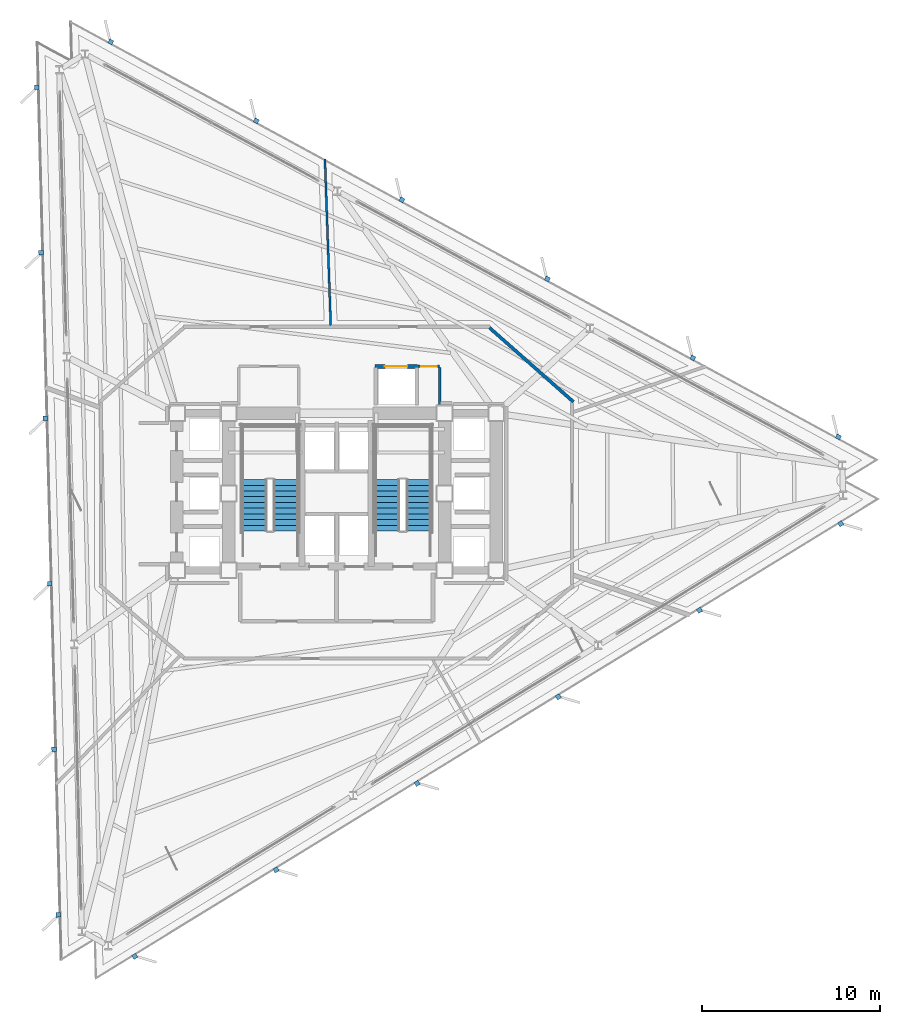
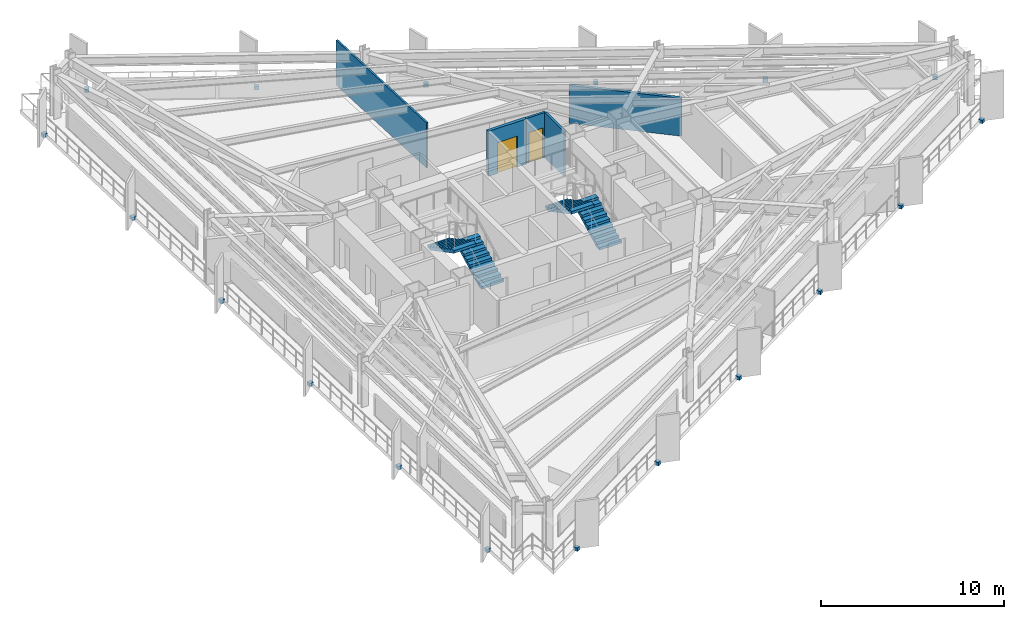
# One storey, part 9 of 14: 18 discrete accessories, 5 walls, 4 stair flights, 2 doors, 2 openings, 2 elements without a shape of their own.
"""IFC4 building model written with IfcOpenShell, lengths in metres."""

import ifcopenshell
import ifcopenshell.guid

model = None  # the IFC model being written
_history = None  # IfcOwnerHistory: only IFC2X3 demands one
_inside = {}  # id of a spatial element -> (the spatial element, [elements in it])
_under = {}  # id of a project, library or spatial element -> (it, [spatial elements below it])
_declared = {}  # id of a project -> (the project, [libraries it declares])
_typed = {}  # id of a type object -> (the type object, [elements of that type])
_made_of = {}  # id of a material, layer set ... -> (it, [elements and type objects made of it])


def new_model(schema):
    """Start an empty IFC model of exactly this schema.

    Asked for "IFC4X3", IfcOpenShell would pick the latest addendum, in which some entities
    have other attributes; the version numbers below select the first issue.
    IFC2X3 requires an IfcOwnerHistory on every rooted entity: one is made here for all.
    """
    global model, _history
    if schema == "IFC4X3":
        model = ifcopenshell.file(schema_version=(4, 3, 0, 0))
    else:
        model = ifcopenshell.file(schema=schema)
    _inside.clear()
    _under.clear()
    _declared.clear()
    _typed.clear()
    _made_of.clear()
    _history = None
    if model.schema == "IFC2X3":
        org = make("IfcOrganization", Name="unknown")
        user = make(
            "IfcPersonAndOrganization",
            ThePerson=make("IfcPerson", FamilyName="unknown"),
            TheOrganization=org,
        )
        app = make(
            "IfcApplication",
            ApplicationDeveloper=org,
            Version="unknown",
            ApplicationFullName="unknown",
            ApplicationIdentifier="unknown",
        )
        _history = make(
            "IfcOwnerHistory",
            OwningUser=user,
            OwningApplication=app,
            ChangeAction="ADDED",
            CreationDate=0,
        )
    return model


def make(cls, **values):
    """One entity of the class cls with the attributes given. An attribute that is None is left unset."""
    return model.create_entity(
        cls, **{name: value for name, value in values.items() if value is not None}
    )


def rooted(cls, **values):
    """An entity with a GlobalId (a new one), such as an element, a storey or a relation."""
    return make(cls, GlobalId=ifcopenshell.guid.new(), OwnerHistory=_history, **values)


def si_unit(unit_type, name, prefix=None):
    """IfcSIUnit, for example si_unit("LENGTHUNIT", "METRE", prefix="MILLI")."""
    return make("IfcSIUnit", UnitType=unit_type, Prefix=prefix, Name=name)


def assignment(units):
    """IfcUnitAssignment: the units of a project."""
    return None if units is None else make("IfcUnitAssignment", Units=units)


def point(xyz):
    """IfcCartesianPoint."""
    return None if xyz is None else make("IfcCartesianPoint", Coordinates=xyz)


def direction(xyz):
    """IfcDirection."""
    return None if xyz is None else make("IfcDirection", DirectionRatios=xyz)


def frame(location, z_axis=None, x_axis=None):
    """IfcAxis2Placement3D, a coordinate frame: its origin and axes. An axis left out is left unset."""
    return make(
        "IfcAxis2Placement3D",
        Location=point(location),
        Axis=direction(z_axis),
        RefDirection=direction(x_axis),
    )


def frame_2d(location, x_axis=None):
    """IfcAxis2Placement2D, a coordinate frame in the plane: its origin and x axis."""
    return make(
        "IfcAxis2Placement2D", Location=point(location), RefDirection=direction(x_axis)
    )


def origin():
    """The frame at (0, 0, 0) with its axes left unset."""
    return frame((0.0, 0.0, 0.0))


def origin_2d():
    """The frame at (0, 0) in the plane with its x axis left unset."""
    return frame_2d((0.0, 0.0))


def place(relative_to, where):
    """IfcLocalPlacement: puts the frame where relative to a parent placement (None: the world)."""
    return make(
        "IfcLocalPlacement", PlacementRelTo=relative_to, RelativePlacement=where
    )


def context(
    kind, dimensions, precision=None, world=None, true_north=None, identifier=None
):
    """IfcGeometricRepresentationContext, for example the 3D "Model" context."""
    return make(
        "IfcGeometricRepresentationContext",
        ContextIdentifier=identifier,
        ContextType=kind,
        CoordinateSpaceDimension=dimensions,
        Precision=precision,
        WorldCoordinateSystem=world,
        TrueNorth=true_north,
    )


def subcontext(parent, identifier, kind, view, scale=None):
    """IfcGeometricRepresentationSubContext, for example "Body" below "Model"."""
    return make(
        "IfcGeometricRepresentationSubContext",
        ContextIdentifier=identifier,
        ContextType=kind,
        ParentContext=parent,
        TargetScale=scale,
        TargetView=view,
    )


def project(units=None, contexts=None):
    """IfcProject with its units and contexts."""
    return rooted(
        "IfcProject",
        Name="project",
        RepresentationContexts=contexts,
        UnitsInContext=assignment(units),
    )


def spatial(cls, under=None, at=None, **own):
    """A site, building, storey or space (cls), placed at a placement, below another one or the project."""
    s = rooted(cls, ObjectPlacement=at, **own)
    if under is not None:
        _under.setdefault(under.id(), (under, []))[1].append(s)
    return s


def polyline(points):
    """IfcPolyline through the points."""
    return make("IfcPolyline", Points=[point(p) for p in points])


def profile(cls, at=None, kind="AREA", **sizes):
    """A parametric profile (cls). Its sizes go by their IFC names, for example OverallWidth=200.0."""
    return make(cls, ProfileType=kind, Position=at, **sizes)


def rectangle(**sizes):
    """IfcRectangleProfileDef."""
    return profile("IfcRectangleProfileDef", **sizes)


def outline(outer, holes=None, kind="AREA"):
    """IfcArbitraryClosedProfileDef: a profile drawn as a closed curve; with holes, ...WithVoids."""
    if holes is None:
        return make("IfcArbitraryClosedProfileDef", ProfileType=kind, OuterCurve=outer)
    return make(
        "IfcArbitraryProfileDefWithVoids",
        ProfileType=kind,
        OuterCurve=outer,
        InnerCurves=holes,
    )


def extrude(swept, where, along, depth):
    """IfcExtrudedAreaSolid: the profile swept, set in the frame where, extruded along a direction by depth."""
    return make(
        "IfcExtrudedAreaSolid",
        SweptArea=swept,
        Position=where,
        ExtrudedDirection=direction(along),
        Depth=depth,
    )


def shape(context_of_items, identifier, shape_type, items):
    """IfcShapeRepresentation: the items that make up one representation, for example the "Body"."""
    return make(
        "IfcShapeRepresentation",
        ContextOfItems=context_of_items,
        RepresentationIdentifier=identifier,
        RepresentationType=shape_type,
        Items=items,
    )


def material(Name=None, Category=None):
    """IfcMaterial."""
    return make("IfcMaterial", Name=Name, Category=Category)


def layer(
    of_material, thickness, ventilated=None, Name=None, Category=None, Priority=None
):
    """IfcMaterialLayer: one layer of a wall or slab, of a material (None: an air gap)."""
    return make(
        "IfcMaterialLayer",
        Material=of_material,
        LayerThickness=thickness,
        IsVentilated=ventilated,
        Name=Name,
        Category=Category,
        Priority=Priority,
    )


def layer_set(layers, Name=None):
    """IfcMaterialLayerSet."""
    return make("IfcMaterialLayerSet", MaterialLayers=layers, LayerSetName=Name)


def made_of(thing, what):
    """Note that an element or type object is made of a material, layer set ...; save() writes the relation."""
    if what is not None:
        _made_of.setdefault(what.id(), (what, []))[1].append(thing)
    return thing


def type_object(cls, material=None, **own):
    """A type object (cls), such as IfcWallType, which elements share."""
    return made_of(rooted(cls, **own), material)


def element(
    cls,
    number,
    at=None,
    inside=None,
    cuts=None,
    type_object=None,
    material=None,
    context=None,
    identifier="Body",
    shape_type=None,
    held_by="IfcProductDefinitionShape",
    body=None,
    shapes=None,
    **own,
):
    """One element of the class cls, such as IfcWall. Its Tag is "e" and its number.

    at: its placement. inside: the storey or other place that contains it. cuts: it is an
    opening in that element (IfcRelVoidsElement). A single representation is given by context,
    identifier, shape_type and body (its items); several are given by shapes. held_by: the class
    of the entity that holds the representations. save() writes the other relations.
    """
    e = rooted(cls, Tag="e%d" % number, ObjectPlacement=at, **own)
    if body is not None:
        shapes = [shape(context, identifier, shape_type, body)]
    if shapes is not None:
        e.Representation = make(held_by, Representations=shapes)
    if inside is not None:
        _inside.setdefault(inside.id(), (inside, []))[1].append(e)
    if cuts is not None:
        rooted(
            "IfcRelVoidsElement", RelatingBuildingElement=cuts, RelatedOpeningElement=e
        )
    if type_object is not None:
        _typed.setdefault(type_object.id(), (type_object, []))[1].append(e)
    return made_of(e, material)


def fill(opening, filler):
    """IfcRelFillsElement: the door or window that sits in an opening."""
    return rooted(
        "IfcRelFillsElement",
        RelatingOpeningElement=opening,
        RelatedBuildingElement=filler,
    )


def aggregate(whole, parts):
    """IfcRelAggregates: a whole, such as a stair, and the parts it consists of."""
    return rooted("IfcRelAggregates", RelatingObject=whole, RelatedObjects=parts)


def save(model, path):
    """Write the relations noted so far, then the file.

    IfcRelAggregates (storeys below a building ...), IfcRelContainedInSpatialStructure (elements
    in a storey), IfcRelDefinesByType, IfcRelAssociatesMaterial and IfcRelDeclares: one each for
    every whole, place, type object, material and project.
    """
    for whole, parts in _under.values():
        aggregate(whole, parts)
    for where, things in _inside.values():
        rooted(
            "IfcRelContainedInSpatialStructure",
            RelatedElements=things,
            RelatingStructure=where,
        )
    for kind, things in _typed.values():
        rooted("IfcRelDefinesByType", RelatedObjects=things, RelatingType=kind)
    for what, things in _made_of.values():
        rooted("IfcRelAssociatesMaterial", RelatedObjects=things, RelatingMaterial=what)
    for by, libraries in _declared.values():
        rooted("IfcRelDeclares", RelatingContext=by, RelatedDefinitions=libraries)
    model.write(path)


model = new_model("IFC4")

# Units and contexts
model_context = context("Model", 3, precision=1e-05, world=origin(), true_north=direction((0.0, 1.0)))
body_context = subcontext(model_context, "Body", "Model", "MODEL_VIEW")
ifc_project = project(units=[si_unit("LENGTHUNIT", "METRE"), si_unit("AREAUNIT", "SQUARE_METRE"), si_unit("VOLUMEUNIT", "CUBIC_METRE"), si_unit("PLANEANGLEUNIT", "RADIAN"), si_unit("MASSUNIT", "GRAM", prefix="KILO")], contexts=[model_context])

# Site, building, storey
site_placement = place(None, origin())
site = spatial("IfcSite", under=ifc_project, at=site_placement, CompositionType="ELEMENT")
building_placement = place(site_placement, origin())
building = spatial("IfcBuilding", under=site, at=building_placement, Name="Rocaltana Carrier Exchange", CompositionType="ELEMENT")
storey_placement = place(building_placement, frame((0.0, 0.0, 42.39990234375)))
storey = spatial("IfcBuildingStorey", under=building, at=storey_placement, Name="L13", CompositionType="ELEMENT", Elevation=42.39990234375)

# Walls
ifc_material_1 = material(Name="Gypsum & Steel Stud Partition", Category="steel")
ifc_layer_1 = layer(ifc_material_1, 0.179931640625)
ifc_layer_set_1 = layer_set([ifc_layer_1], Name="Gypsum & Steel Stud Partition")
wall_type_1 = type_object("IfcWallType", Name="Corridor Fire Partition 180 EI60", PredefinedType="PARTITIONING", material=ifc_layer_set_1)
wall_1_placement = place(storey_placement, frame((8.5673828125, 9.290283203125, 0.0), z_axis=(0.0, 0.0, 1.0), x_axis=(0.749626463267, -0.66186113768, 0.0)))
element("IfcWall", 1, at=wall_1_placement, inside=storey, type_object=wall_type_1, Name="L13 Corridor Partition 2", PredefinedType="PARTITIONING", context=body_context, shape_type="SweptSolid", body=[
    extrude(rectangle(XDim=6.27001953125, YDim=0.179931640625, at=frame_2d((3.135009765625, 0.0))), origin(), (0.0, 0.0, 1.0), 2.527099609375),
])
ifc_material_2 = material(Name="Aluminium 6063-T6 & Acoustic Glass", Category="aluminium")
ifc_layer_2 = layer(ifc_material_2, 0.114990234375)
ifc_layer_set_2 = layer_set([ifc_layer_2], Name="Aluminium 6063-T6 & Acoustic Glass")
wall_type_2 = type_object("IfcWallType", Name="Demountable Glazed Lab Partition 115", PredefinedType="MOVABLE", material=ifc_layer_set_2)
wall_2_placement = place(storey_placement, frame((-0.329345703125, 9.429931640625, 0.0), z_axis=(0.0, 0.0, 1.0), x_axis=(-0.034885649993, 0.999391310461, 0.0)))
element("IfcWall", 2, at=wall_2_placement, inside=storey, type_object=wall_type_2, Name="L13 Suite Divider Wall D5", PredefinedType="MOVABLE", context=body_context, shape_type="SweptSolid", body=[
    extrude(rectangle(XDim=9.314697265625, YDim=0.114990234375, at=frame_2d((4.6572265625, 0.0))), origin(), (0.0, 0.0, 1.0), 3.01318359375),
])

# Wall, opening, door
ifc_material_3 = material(Name="Reinforced Concrete Block C35/45", Category="concrete")
ifc_layer_3 = layer(ifc_material_3, 0.199951171875)
ifc_layer_set_3 = layer_set([ifc_layer_3], Name="Reinforced Concrete Block C35/45")
wall_type_3 = type_object("IfcWallType", Name="Lift Hoistway Enclosure Wall 200 EI120", PredefinedType="PARTITIONING", material=ifc_layer_set_3)
wall_3_placement = place(storey_placement, frame((2.14990234375, 7.1201171875, 0.0), z_axis=(0.0, 0.0, 1.0), x_axis=(1.0, 0.0, 0.0)))
wall_3 = element("IfcWall", 3, at=wall_3_placement, inside=storey, type_object=wall_type_3, Name="L13 Goods Lift Front Wall", PredefinedType="PARTITIONING", context=body_context, shape_type="SweptSolid", body=[
    extrude(rectangle(XDim=2.380126953125, YDim=0.199951171875, at=frame_2d((1.18994140625, 0.0))), origin(), (0.0, 0.0, 1.0), 3.01318359375),
])
opening_1_placement = place(wall_3_placement, frame((0.56005859375, 0.0, 0.0)))
opening_1 = element("IfcOpeningElement", 4, at=opening_1_placement, cuts=wall_3, Name="Opening LD-130", PredefinedType="OPENING", context=body_context, shape_type="SweptSolid", body=[
    extrude(rectangle(XDim=1.260009765625, YDim=2.06005859375, at=frame_2d((0.6298828125, 1.030029296875))), frame((0.0, 0.10986328125, 0.0), z_axis=(0.0, -1.0, 0.0), x_axis=(1.0, 0.0, 0.0)), (0.0, 0.0, 1.0), 0.219970703125),
])
ifc_material_4 = material(Name="Brushed Stainless Sliding Door Leaf", Category="steel")
door_type_1 = type_object("IfcDoorType", Name="Goods Lift Landing Sliding Door 1260x2060", OperationType="NOTDEFINED", PredefinedType="DOOR", material=ifc_material_4)
door_1_placement = place(opening_1_placement, origin())
door_1 = element("IfcDoor", 5, at=door_1_placement, inside=storey, type_object=door_type_1, Name="L13 Goods Lift GL-1 Landing Door", OperationType="SLIDING_TO_LEFT", OverallHeight=2.06005859375, OverallWidth=1.260009765625, PredefinedType="DOOR", context=body_context, shape_type="SweptSolid", body=[
    extrude(rectangle(XDim=1.260009765625, YDim=2.06005859375, at=frame_2d((0.6298828125, 1.030029296875))), frame((0.0, 0.02490234375, 0.0), z_axis=(0.0, -1.0, 0.0), x_axis=(1.0, 0.0, 0.0)), (0.0, 0.0, 1.0), 0.050048828125),
])
fill(opening_1, door_1)

# Wall
ifc_material_5 = material(Name="Moisture-Resistant Masonry C30/37", Category="masonry")
ifc_layer_4 = layer(ifc_material_5, 0.139892578125)
ifc_layer_set_4 = layer_set([ifc_layer_4], Name="Moisture-Resistant Masonry C30/37")
wall_type_4 = type_object("IfcWallType", Name="Wet-Area Sanitary Partition 140", PredefinedType="PARTITIONING", material=ifc_layer_set_4)
wall_4_placement = place(storey_placement, frame((5.780029296875, 4.949951171875, 0.0), z_axis=(0.0, 0.0, 1.0), x_axis=(0.0, 1.0, 0.0)))
element("IfcWall", 6, at=wall_4_placement, inside=storey, type_object=wall_type_4, Name="L13 Restroom East Wall", PredefinedType="PARTITIONING", context=body_context, shape_type="SweptSolid", body=[
    extrude(rectangle(XDim=2.10009765625, YDim=0.139892578125, at=frame_2d((1.050048828125, 0.0))), origin(), (0.0, 0.0, 1.0), 3.01318359375),
])

# Wall, opening, door
wall_5_placement = place(storey_placement, frame((4.56005859375, 7.1201171875, 0.0), z_axis=(0.0, 0.0, 1.0), x_axis=(1.0, 0.0, 0.0)))
wall_5 = element("IfcWall", 7, at=wall_5_placement, inside=storey, type_object=wall_type_4, Name="L13 Restroom North Wall", PredefinedType="PARTITIONING", context=body_context, shape_type="SweptSolid", body=[
    extrude(rectangle(XDim=1.219970703125, YDim=0.139892578125, at=frame_2d((0.60986328125, 0.0))), origin(), (0.0, 0.0, 1.0), 3.01318359375),
])
opening_2_placement = place(wall_5_placement, frame((0.169921875, 0.0, 0.0)))
opening_2 = element("IfcOpeningElement", 8, at=opening_2_placement, cuts=wall_5, Name="Opening D-WC090", PredefinedType="OPENING", context=body_context, shape_type="SweptSolid", body=[
    extrude(rectangle(XDim=0.8798828125, YDim=2.02001953125, at=frame_2d((0.43994140625, 1.010009765625))), frame((0.0, 0.079833984375, 0.0), z_axis=(0.0, -1.0, 0.0), x_axis=(1.0, 0.0, 0.0)), (0.0, 0.0, 1.0), 0.159912109375),
])
ifc_material_6 = material(Name="High-Pressure Laminate Timber", Category="wood")
door_type_2 = type_object("IfcDoorType", Name="Restroom & Accessible WC Door 880x2020", OperationType="NOTDEFINED", PredefinedType="DOOR", material=ifc_material_6)
door_2_placement = place(opening_2_placement, origin())
door_2 = element("IfcDoor", 9, at=door_2_placement, inside=storey, type_object=door_type_2, Name="L13 Staff Restroom Door", OperationType="SINGLE_SWING_LEFT", OverallHeight=2.02001953125, OverallWidth=0.8798828125, PredefinedType="DOOR", context=body_context, shape_type="SweptSolid", body=[
    extrude(rectangle(XDim=0.8798828125, YDim=2.02001953125, at=frame_2d((0.43994140625, 1.010009765625))), frame((0.0, 0.02490234375, 0.0), z_axis=(0.0, -1.0, 0.0), x_axis=(1.0, 0.0, 0.0)), (0.0, 0.0, 1.0), 0.050048828125),
])
fill(opening_2, door_2)

# Stair, stair flights
ifc_material_7 = material(Name="Precast concrete C45/55", Category="concrete")
stair_type = type_object("IfcStairType", Name="Standard Dog-Leg Stair 160", PredefinedType="HALF_TURN_STAIR", material=ifc_material_7)
stair_1_placement = place(storey_placement, origin())
stair_1 = element("IfcStair", 10, at=stair_1_placement, inside=storey, type_object=stair_type, Name="L13 Core West Exit Stair ST-1", PredefinedType="HALF_TURN_STAIR")
ifc_material_8 = material(Name="Precast concrete C45/55", Category="concrete")
stair_flight_type = type_object("IfcStairFlightType", Name="Precast Stair Flight 160", PredefinedType="STRAIGHT", material=ifc_material_8)
stair_flight_1_placement = place(storey_placement, frame((-2.840087890625, -2.10009765625, 0.0), z_axis=(0.0, 0.0, 1.0), x_axis=(0.0, 1.0, 0.0)))
stair_flight_1 = element("IfcStairFlight", 11, at=stair_flight_1_placement, type_object=stair_flight_type, Name="ST-1 flight 1", NumberOfRisers=10, NumberOfTreads=9, PredefinedType="STRAIGHT", RiserHeight=0.168, TreadLength=0.32, context=body_context, shape_type="SweptSolid", body=[
    extrude(outline(polyline([(0.0, 0.0), (0.0, 0.16796875), (0.320068359375, 0.16796875), (0.320068359375, 0.3359375), (0.639892578125, 0.3359375), (0.639892578125, 0.50390625), (0.9599609375, 0.50390625), (0.9599609375, 0.672119140625), (1.280029296875, 0.672119140625), (1.280029296875, 0.840087890625), (1.60009765625, 0.840087890625), (1.60009765625, 1.008056640625), (1.919921875, 1.008056640625), (1.919921875, 1.176025390625), (2.239990234375, 1.176025390625), (2.239990234375, 1.343994140625), (2.56005859375, 1.343994140625), (2.56005859375, 1.511962890625), (2.8798828125, 1.511962890625), (2.8798828125, 1.679931640625), (2.8798828125, 1.331298828125), (0.343994140625, 0.0), (0.0, 0.0)])), frame((0.0, 0.699951171875, 0.0), z_axis=(0.0, -1.0, 0.0), x_axis=(1.0, 0.0, 0.0)), (0.0, 0.0, 1.0), 1.39990234375),
])
stair_flight_2_placement = place(storey_placement, frame((-4.60009765625, 0.780029296875, 1.68017578125), z_axis=(0.0, 0.0, 1.0), x_axis=(0.0, -1.0, 0.0)))
stair_flight_2 = element("IfcStairFlight", 12, at=stair_flight_2_placement, type_object=stair_flight_type, Name="ST-1 flight 2", NumberOfRisers=10, NumberOfTreads=9, PredefinedType="STRAIGHT", RiserHeight=0.168, TreadLength=0.32, context=body_context, shape_type="SweptSolid", body=[
    extrude(outline(polyline([(0.0, 0.0), (0.0, 0.16796875), (0.320068359375, 0.16796875), (0.320068359375, 0.3359375), (0.639892578125, 0.3359375), (0.639892578125, 0.50390625), (0.9599609375, 0.50390625), (0.9599609375, 0.672119140625), (1.280029296875, 0.672119140625), (1.280029296875, 0.840087890625), (1.60009765625, 0.840087890625), (1.60009765625, 1.008056640625), (1.919921875, 1.008056640625), (1.919921875, 1.176025390625), (2.239990234375, 1.176025390625), (2.239990234375, 1.343994140625), (2.56005859375, 1.343994140625), (2.56005859375, 1.511962890625), (2.8798828125, 1.511962890625), (2.8798828125, 1.679931640625), (2.8798828125, 1.331298828125), (0.343994140625, 0.0), (0.0, 0.0)])), frame((0.0, 0.699951171875, 0.0), z_axis=(0.0, -1.0, 0.0), x_axis=(1.0, 0.0, 0.0)), (0.0, 0.0, 1.0), 1.39990234375),
])
aggregate(stair_1, [stair_flight_1, stair_flight_2])

stair_2_placement = place(storey_placement, origin())
stair_2 = element("IfcStair", 13, at=stair_2_placement, inside=storey, type_object=stair_type, Name="L13 Core East Exit Stair ST-2", PredefinedType="HALF_TURN_STAIR")
stair_flight_3_placement = place(storey_placement, frame((4.60009765625, -2.10009765625, 0.0), z_axis=(0.0, 0.0, 1.0), x_axis=(0.0, 1.0, 0.0)))
stair_flight_3 = element("IfcStairFlight", 14, at=stair_flight_3_placement, type_object=stair_flight_type, Name="ST-2 flight 1", NumberOfRisers=10, NumberOfTreads=9, PredefinedType="STRAIGHT", RiserHeight=0.168, TreadLength=0.32, context=body_context, shape_type="SweptSolid", body=[
    extrude(outline(polyline([(0.0, 0.0), (0.0, 0.16796875), (0.320068359375, 0.16796875), (0.320068359375, 0.3359375), (0.639892578125, 0.3359375), (0.639892578125, 0.50390625), (0.9599609375, 0.50390625), (0.9599609375, 0.672119140625), (1.280029296875, 0.672119140625), (1.280029296875, 0.840087890625), (1.60009765625, 0.840087890625), (1.60009765625, 1.008056640625), (1.919921875, 1.008056640625), (1.919921875, 1.176025390625), (2.239990234375, 1.176025390625), (2.239990234375, 1.343994140625), (2.56005859375, 1.343994140625), (2.56005859375, 1.511962890625), (2.8798828125, 1.511962890625), (2.8798828125, 1.679931640625), (2.8798828125, 1.331298828125), (0.343994140625, 0.0), (0.0, 0.0)])), frame((0.0, 0.699951171875, 0.0), z_axis=(0.0, -1.0, 0.0), x_axis=(1.0, 0.0, 0.0)), (0.0, 0.0, 1.0), 1.39990234375),
])
stair_flight_4_placement = place(storey_placement, frame((2.840087890625, 0.780029296875, 1.68017578125), z_axis=(0.0, 0.0, 1.0), x_axis=(0.0, -1.0, 0.0)))
stair_flight_4 = element("IfcStairFlight", 15, at=stair_flight_4_placement, type_object=stair_flight_type, Name="ST-2 flight 2", NumberOfRisers=10, NumberOfTreads=9, PredefinedType="STRAIGHT", RiserHeight=0.168, TreadLength=0.32, context=body_context, shape_type="SweptSolid", body=[
    extrude(outline(polyline([(0.0, 0.0), (0.0, 0.16796875), (0.320068359375, 0.16796875), (0.320068359375, 0.3359375), (0.639892578125, 0.3359375), (0.639892578125, 0.50390625), (0.9599609375, 0.50390625), (0.9599609375, 0.672119140625), (1.280029296875, 0.672119140625), (1.280029296875, 0.840087890625), (1.60009765625, 0.840087890625), (1.60009765625, 1.008056640625), (1.919921875, 1.008056640625), (1.919921875, 1.176025390625), (2.239990234375, 1.176025390625), (2.239990234375, 1.343994140625), (2.56005859375, 1.343994140625), (2.56005859375, 1.511962890625), (2.8798828125, 1.511962890625), (2.8798828125, 1.679931640625), (2.8798828125, 1.331298828125), (0.343994140625, 0.0), (0.0, 0.0)])), frame((0.0, 0.699951171875, 0.0), z_axis=(0.0, -1.0, 0.0), x_axis=(1.0, 0.0, 0.0)), (0.0, 0.0, 1.0), 1.39990234375),
])
aggregate(stair_2, [stair_flight_3, stair_flight_4])

# Discrete accessories
ifc_material_9 = material(Name="Brushed Architectural Stainless Metal", Category="steel")
ifc_layer_5 = layer(ifc_material_9, 0.219970703125)
ifc_layer_set_5 = layer_set([ifc_layer_5], Name="Brushed Architectural Stainless Metal")
discrete_accessory_type = type_object("IfcDiscreteAccessoryType", Name="Stainless Fin Slab-Edge Bracket 260x260x220", PredefinedType="BRACKET", material=ifc_layer_set_5)
for number, where, z_axis, x_axis, name in (
    (16, (28.121337890625, 3.171875, -0.2099609375), (0.0, 0.0, 1.0), (-0.878817112662, 0.47715876026, 0.0), "L13 Sandstone Fin Edge Bracket F1-01"),
    (17, (19.9658203125, 7.599853515625, -0.2099609375), (0.0, 0.0, 1.0), (-0.878817112662, 0.47715876026, 0.0), "L13 Sandstone Fin Edge Bracket F1-02"),
    (18, (11.810546875, 12.02783203125, -0.2099609375), (0.0, 0.0, 1.0), (-0.878817112662, 0.47715876026, 0.0), "L13 Sandstone Fin Edge Bracket F1-03"),
    (19, (3.655029296875, 16.4560546875, -0.2099609375), (0.0, 0.0, 1.0), (-0.878817112662, 0.47715876026, 0.0), "L13 Sandstone Fin Edge Bracket F1-04"),
    (20, (-4.50048828125, 20.884033203125, -0.2099609375), (0.0, 0.0, 1.0), (-0.878817112662, 0.47715876026, 0.0), "L13 Sandstone Fin Edge Bracket F1-05"),
    (21, (-12.65576171875, 25.31201171875, -0.2099609375), (0.0, 0.0, 1.0), (-0.878817112662, 0.47715876026, 0.0), "L13 Sandstone Fin Edge Bracket F1-06"),
    (22, (-16.8076171875, 22.767822265625, -0.2099609375), (0.0, 0.0, 1.0), (0.026176948308, -0.999657324976, 0.0), "L13 Sandstone Fin Edge Bracket F2-01"),
    (23, (-16.564697265625, 13.490966796875, -0.2099609375), (0.0, 0.0, 1.0), (0.026176948308, -0.999657324976, 0.0), "L13 Sandstone Fin Edge Bracket F2-02"),
    (24, (-16.32177734375, 4.214111328125, -0.2099609375), (0.0, 0.0, 1.0), (0.026176948308, -0.999657324976, 0.0), "L13 Sandstone Fin Edge Bracket F2-03"),
    (25, (-16.078857421875, -5.0625, -0.2099609375), (0.0, 0.0, 1.0), (0.026176948308, -0.999657324976, 0.0), "L13 Sandstone Fin Edge Bracket F2-04"),
    (26, (-15.8359375, -14.33935546875, -0.2099609375), (0.0, 0.0, 1.0), (0.026176948308, -0.999657324976, 0.0), "L13 Sandstone Fin Edge Bracket F2-05"),
    (27, (-15.593017578125, -23.6162109375, -0.2099609375), (0.0, 0.0, 1.0), (0.026176948308, -0.999657324976, 0.0), "L13 Sandstone Fin Edge Bracket F2-06"),
    (28, (-11.313720703125, -25.939697265625, -0.2099609375), (0.0, 0.0, 1.0), (0.852640164354, 0.522498564716, 0.0), "L13 Sandstone Fin Edge Bracket F3-01"),
    (29, (-3.401123046875, -21.0908203125, -0.2099609375), (0.0, 0.0, 1.0), (0.852640164354, 0.522498564716, 0.0), "L13 Sandstone Fin Edge Bracket F3-02"),
    (30, (4.51123046875, -16.2421875, -0.2099609375), (0.0, 0.0, 1.0), (0.852640164354, 0.522498564716, 0.0), "L13 Sandstone Fin Edge Bracket F3-03"),
    (31, (12.423828125, -11.393310546875, -0.2099609375), (0.0, 0.0, 1.0), (0.852640164354, 0.522498564716, 0.0), "L13 Sandstone Fin Edge Bracket F3-04"),
    (32, (20.336181640625, -6.54443359375, -0.2099609375), (0.0, 0.0, 1.0), (0.852640164354, 0.522498564716, 0.0), "L13 Sandstone Fin Edge Bracket F3-05"),
    (33, (28.248779296875, -1.69580078125, -0.2099609375), (0.0, 0.0, 1.0), (0.852640164354, 0.522498564716, 0.0), "L13 Sandstone Fin Edge Bracket F3-06"),
):
    element("IfcDiscreteAccessory", number, at=place(storey_placement, frame(where, z_axis=z_axis, x_axis=x_axis)), inside=storey, type_object=discrete_accessory_type, Name=name, PredefinedType="BRACKET", context=body_context, shape_type="SweptSolid", body=[
        extrude(rectangle(XDim=0.260009765625, YDim=0.260009765625, at=origin_2d()), origin(), (0.0, 0.0, 1.0), 0.219970703125),
    ])

save(model, "model.ifc")
